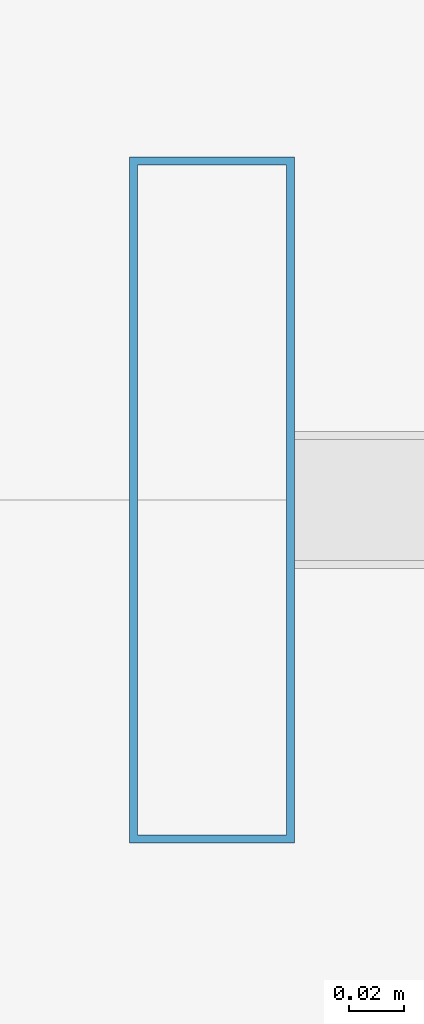
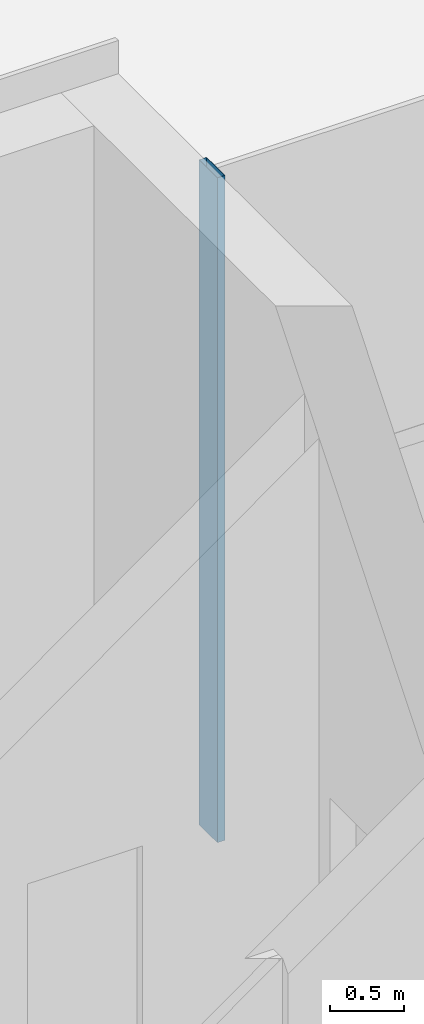
# One storey, part 7 of 15: 1 member, 1 element without a shape of its own.
"""IFC4 building model written with IfcOpenShell, lengths in metres."""

import ifcopenshell
import ifcopenshell.guid

model = None  # the IFC model being written
_history = None  # IfcOwnerHistory: only IFC2X3 demands one
_inside = {}  # id of a spatial element -> (the spatial element, [elements in it])
_under = {}  # id of a project, library or spatial element -> (it, [spatial elements below it])
_declared = {}  # id of a project -> (the project, [libraries it declares])
_typed = {}  # id of a type object -> (the type object, [elements of that type])
_made_of = {}  # id of a material, layer set ... -> (it, [elements and type objects made of it])


def new_model(schema):
    """Start an empty IFC model of exactly this schema.

    Asked for "IFC4X3", IfcOpenShell would pick the latest addendum, in which some entities
    have other attributes; the version numbers below select the first issue.
    IFC2X3 requires an IfcOwnerHistory on every rooted entity: one is made here for all.
    """
    global model, _history
    if schema == "IFC4X3":
        model = ifcopenshell.file(schema_version=(4, 3, 0, 0))
    else:
        model = ifcopenshell.file(schema=schema)
    _inside.clear()
    _under.clear()
    _declared.clear()
    _typed.clear()
    _made_of.clear()
    _history = None
    if model.schema == "IFC2X3":
        org = make("IfcOrganization", Name="unknown")
        user = make(
            "IfcPersonAndOrganization",
            ThePerson=make("IfcPerson", FamilyName="unknown"),
            TheOrganization=org,
        )
        app = make(
            "IfcApplication",
            ApplicationDeveloper=org,
            Version="unknown",
            ApplicationFullName="unknown",
            ApplicationIdentifier="unknown",
        )
        _history = make(
            "IfcOwnerHistory",
            OwningUser=user,
            OwningApplication=app,
            ChangeAction="ADDED",
            CreationDate=0,
        )
    return model


def make(cls, **values):
    """One entity of the class cls with the attributes given. An attribute that is None is left unset."""
    return model.create_entity(
        cls, **{name: value for name, value in values.items() if value is not None}
    )


def rooted(cls, **values):
    """An entity with a GlobalId (a new one), such as an element, a storey or a relation."""
    return make(cls, GlobalId=ifcopenshell.guid.new(), OwnerHistory=_history, **values)


def si_unit(unit_type, name, prefix=None):
    """IfcSIUnit, for example si_unit("LENGTHUNIT", "METRE", prefix="MILLI")."""
    return make("IfcSIUnit", UnitType=unit_type, Prefix=prefix, Name=name)


def assignment(units):
    """IfcUnitAssignment: the units of a project."""
    return None if units is None else make("IfcUnitAssignment", Units=units)


def point(xyz):
    """IfcCartesianPoint."""
    return None if xyz is None else make("IfcCartesianPoint", Coordinates=xyz)


def direction(xyz):
    """IfcDirection."""
    return None if xyz is None else make("IfcDirection", DirectionRatios=xyz)


def frame(location, z_axis=None, x_axis=None):
    """IfcAxis2Placement3D, a coordinate frame: its origin and axes. An axis left out is left unset."""
    return make(
        "IfcAxis2Placement3D",
        Location=point(location),
        Axis=direction(z_axis),
        RefDirection=direction(x_axis),
    )


def frame_2d(location, x_axis=None):
    """IfcAxis2Placement2D, a coordinate frame in the plane: its origin and x axis."""
    return make(
        "IfcAxis2Placement2D", Location=point(location), RefDirection=direction(x_axis)
    )


def origin():
    """The frame at (0, 0, 0) with its axes left unset."""
    return frame((0.0, 0.0, 0.0))


def origin_2d():
    """The frame at (0, 0) in the plane with its x axis left unset."""
    return frame_2d((0.0, 0.0))


def place(relative_to, where):
    """IfcLocalPlacement: puts the frame where relative to a parent placement (None: the world)."""
    return make(
        "IfcLocalPlacement", PlacementRelTo=relative_to, RelativePlacement=where
    )


def context(
    kind, dimensions, precision=None, world=None, true_north=None, identifier=None
):
    """IfcGeometricRepresentationContext, for example the 3D "Model" context."""
    return make(
        "IfcGeometricRepresentationContext",
        ContextIdentifier=identifier,
        ContextType=kind,
        CoordinateSpaceDimension=dimensions,
        Precision=precision,
        WorldCoordinateSystem=world,
        TrueNorth=true_north,
    )


def subcontext(parent, identifier, kind, view, scale=None):
    """IfcGeometricRepresentationSubContext, for example "Body" below "Model"."""
    return make(
        "IfcGeometricRepresentationSubContext",
        ContextIdentifier=identifier,
        ContextType=kind,
        ParentContext=parent,
        TargetScale=scale,
        TargetView=view,
    )


def project(units=None, contexts=None):
    """IfcProject with its units and contexts."""
    return rooted(
        "IfcProject",
        Name="project",
        RepresentationContexts=contexts,
        UnitsInContext=assignment(units),
    )


def spatial(cls, under=None, at=None, **own):
    """A site, building, storey or space (cls), placed at a placement, below another one or the project."""
    s = rooted(cls, ObjectPlacement=at, **own)
    if under is not None:
        _under.setdefault(under.id(), (under, []))[1].append(s)
    return s


def profile(cls, at=None, kind="AREA", **sizes):
    """A parametric profile (cls). Its sizes go by their IFC names, for example OverallWidth=200.0."""
    return make(cls, ProfileType=kind, Position=at, **sizes)


def hollow_rectangle(**sizes):
    """IfcRectangleHollowProfileDef."""
    return profile("IfcRectangleHollowProfileDef", **sizes)


def extrude(swept, where, along, depth):
    """IfcExtrudedAreaSolid: the profile swept, set in the frame where, extruded along a direction by depth."""
    return make(
        "IfcExtrudedAreaSolid",
        SweptArea=swept,
        Position=where,
        ExtrudedDirection=direction(along),
        Depth=depth,
    )


def shape(context_of_items, identifier, shape_type, items):
    """IfcShapeRepresentation: the items that make up one representation, for example the "Body"."""
    return make(
        "IfcShapeRepresentation",
        ContextOfItems=context_of_items,
        RepresentationIdentifier=identifier,
        RepresentationType=shape_type,
        Items=items,
    )


def material(Name=None, Category=None):
    """IfcMaterial."""
    return make("IfcMaterial", Name=Name, Category=Category)


def material_profile(
    of_material, cross_section, Name=None, Category=None, Priority=None
):
    """IfcMaterialProfile: a cross section and its material."""
    return make(
        "IfcMaterialProfile",
        Name=Name,
        Material=of_material,
        Profile=cross_section,
        Priority=Priority,
        Category=Category,
    )


def profile_set(profiles, Name=None, composite=None):
    """IfcMaterialProfileSet."""
    return make(
        "IfcMaterialProfileSet",
        Name=Name,
        MaterialProfiles=profiles,
        CompositeProfile=composite,
    )


def made_of(thing, what):
    """Note that an element or type object is made of a material, layer set ...; save() writes the relation."""
    if what is not None:
        _made_of.setdefault(what.id(), (what, []))[1].append(thing)
    return thing


def type_object(cls, material=None, **own):
    """A type object (cls), such as IfcWallType, which elements share."""
    return made_of(rooted(cls, **own), material)


def element(
    cls,
    number,
    at=None,
    inside=None,
    cuts=None,
    type_object=None,
    material=None,
    context=None,
    identifier="Body",
    shape_type=None,
    held_by="IfcProductDefinitionShape",
    body=None,
    shapes=None,
    **own,
):
    """One element of the class cls, such as IfcWall. Its Tag is "e" and its number.

    at: its placement. inside: the storey or other place that contains it. cuts: it is an
    opening in that element (IfcRelVoidsElement). A single representation is given by context,
    identifier, shape_type and body (its items); several are given by shapes. held_by: the class
    of the entity that holds the representations. save() writes the other relations.
    """
    e = rooted(cls, Tag="e%d" % number, ObjectPlacement=at, **own)
    if body is not None:
        shapes = [shape(context, identifier, shape_type, body)]
    if shapes is not None:
        e.Representation = make(held_by, Representations=shapes)
    if inside is not None:
        _inside.setdefault(inside.id(), (inside, []))[1].append(e)
    if cuts is not None:
        rooted(
            "IfcRelVoidsElement", RelatingBuildingElement=cuts, RelatedOpeningElement=e
        )
    if type_object is not None:
        _typed.setdefault(type_object.id(), (type_object, []))[1].append(e)
    return made_of(e, material)


def aggregate(whole, parts):
    """IfcRelAggregates: a whole, such as a stair, and the parts it consists of."""
    return rooted("IfcRelAggregates", RelatingObject=whole, RelatedObjects=parts)


def save(model, path):
    """Write the relations noted so far, then the file.

    IfcRelAggregates (storeys below a building ...), IfcRelContainedInSpatialStructure (elements
    in a storey), IfcRelDefinesByType, IfcRelAssociatesMaterial and IfcRelDeclares: one each for
    every whole, place, type object, material and project.
    """
    for whole, parts in _under.values():
        aggregate(whole, parts)
    for where, things in _inside.values():
        rooted(
            "IfcRelContainedInSpatialStructure",
            RelatedElements=things,
            RelatingStructure=where,
        )
    for kind, things in _typed.values():
        rooted("IfcRelDefinesByType", RelatedObjects=things, RelatingType=kind)
    for what, things in _made_of.values():
        rooted("IfcRelAssociatesMaterial", RelatedObjects=things, RelatingMaterial=what)
    for by, libraries in _declared.values():
        rooted("IfcRelDeclares", RelatingContext=by, RelatedDefinitions=libraries)
    model.write(path)


model = new_model("IFC4")

# Units and contexts
model_context = context("Model", 3, precision=1e-05, world=origin(), true_north=direction((0.0, 1.0)))
body_context = subcontext(model_context, "Body", "Model", "MODEL_VIEW")
ifc_project = project(units=[si_unit("LENGTHUNIT", "METRE"), si_unit("AREAUNIT", "SQUARE_METRE"), si_unit("VOLUMEUNIT", "CUBIC_METRE"), si_unit("PLANEANGLEUNIT", "RADIAN"), si_unit("MASSUNIT", "GRAM", prefix="KILO")], contexts=[model_context])

# Site, building, storey
site_placement = place(None, origin())
site = spatial("IfcSite", under=ifc_project, at=site_placement, CompositionType="ELEMENT")
building_placement = place(site_placement, origin())
building = spatial("IfcBuilding", under=site, at=building_placement, Name="Altepetl Exchange Towers", CompositionType="ELEMENT")
storey_placement = place(building_placement, frame((0.0, 0.0, 263.60009765625)))
storey = spatial("IfcBuildingStorey", under=building, at=storey_placement, Name="L67 Observation deck", CompositionType="ELEMENT", Elevation=263.60009765625)

# Curtain wall, member
ifc_material_1 = material(Name="Aluminium 6063-T6 glazing", Category="aluminium")
curtain_wall_type = type_object("IfcCurtainWallType", Name="Executive flush glazing system", PredefinedType="NOTDEFINED", material=ifc_material_1)
curtain_wall_placement = place(storey_placement, origin())
curtain_wall = element("IfcCurtainWall", 1, at=curtain_wall_placement, inside=storey, type_object=curtain_wall_type, Name="CW4 run", PredefinedType="NOTDEFINED")
ifc_material_2 = material(Name="Aluminium 6063-T6", Category="aluminium")
ifc_material_profile = material_profile(ifc_material_2, hollow_rectangle(XDim=0.06005859375, YDim=0.25, WallThickness=0.0029296875, at=origin_2d()), Name="Mullion 60x250 hollow aluminium")
ifc_profile_set = profile_set([ifc_material_profile], Name="Aluminium 6063-T6")
member_type = type_object("IfcMemberType", Name="Mullion 60x250 hollow aluminium", PredefinedType="MULLION", material=ifc_profile_set)
member_placement = place(storey_placement, frame((58.655029296875, 57.5, 0.0), z_axis=(0.0, 0.0, 1.0), x_axis=(-1.0, 0.0, 0.0)))
member = element("IfcMember", 2, at=member_placement, type_object=member_type, Name="MU3 mullion", PredefinedType="MULLION", context=body_context, shape_type="SweptSolid", body=[
    extrude(hollow_rectangle(XDim=0.06005859375, YDim=0.25, WallThickness=0.0029296875, at=origin_2d()), origin(), (0.0, 0.0, 1.0), 5.5),
])
aggregate(curtain_wall, [member])

save(model, "model.ifc")
